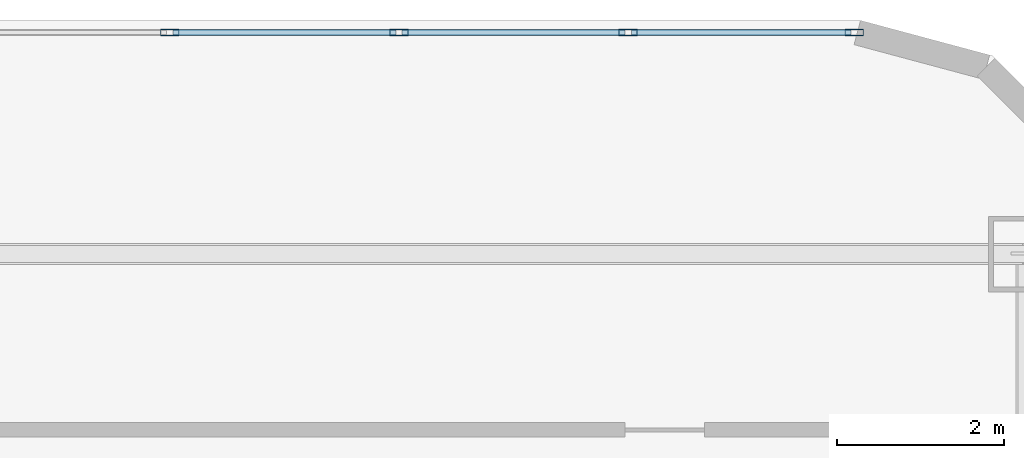
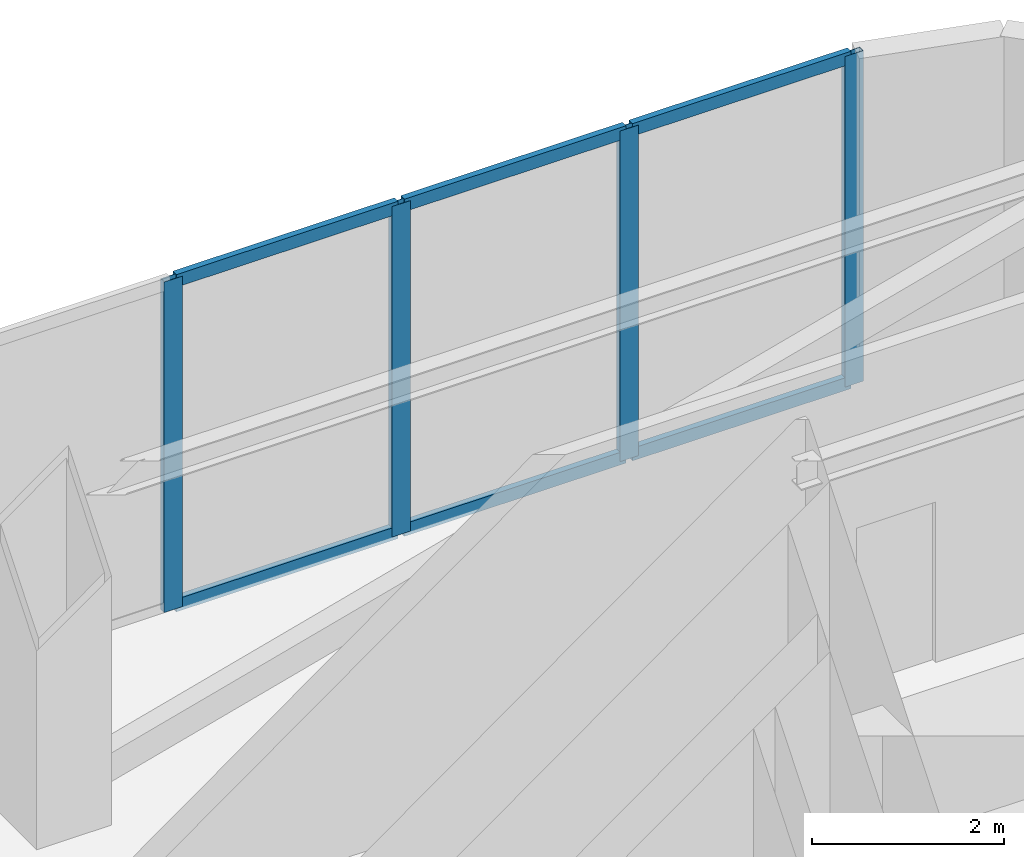
# One storey, part 7 of 13: 10 members, 1 element without a shape of its own.
"""IFC4 building model written with IfcOpenShell, lengths in metres."""

from ifc_helpers import new_model, si_unit, direction, frame, origin, origin_2d, place, context, subcontext, project, spatial, hollow_rectangle, extrude, material, layer, layer_set, material_profile, profile_set, type_object, element, aggregate, save


model = new_model("IFC4")

# Units and contexts
model_context = context("Model", 3, precision=1e-05, world=origin(), true_north=direction((0.0, 1.0)))
body_context = subcontext(model_context, "Body", "Model", "MODEL_VIEW")
ifc_project = project(units=[si_unit("LENGTHUNIT", "METRE"), si_unit("AREAUNIT", "SQUARE_METRE"), si_unit("VOLUMEUNIT", "CUBIC_METRE"), si_unit("PLANEANGLEUNIT", "RADIAN"), si_unit("MASSUNIT", "GRAM", prefix="KILO")], contexts=[model_context])

# Site, building, storey
site_placement = place(None, origin())
site = spatial("IfcSite", under=ifc_project, at=site_placement, CompositionType="ELEMENT")
building_placement = place(site_placement, origin())
building = spatial("IfcBuilding", under=site, at=building_placement, Name="Kiyonajd Concourse Tower", CompositionType="ELEMENT")
storey_placement = place(building_placement, frame((0.0, 0.0, 363.89990234375)))
storey = spatial("IfcBuildingStorey", under=building, at=storey_placement, Name="L91", CompositionType="ELEMENT", Elevation=363.89990234375)

# Curtain wall, members
ifc_material = material(Name="Thermally Broken Anodised Aluminium", Category="aluminium")
ifc_layer = layer(ifc_material, 0.179931640625)
ifc_layer_set = layer_set([ifc_layer], Name="Thermally Broken Anodised Aluminium")
curtain_wall_type = type_object("IfcCurtainWallType", Name="CW-SYS-06", PredefinedType="NOTDEFINED", material=ifc_layer_set)
curtain_wall_placement = place(storey_placement, origin())
curtain_wall = element("IfcCurtainWall", 1, at=curtain_wall_placement, inside=storey, type_object=curtain_wall_type, Name="L91 Unitised Curtain Wall CW6", PredefinedType="NOTDEFINED")
ifc_material_profile_1 = material_profile(ifc_material, hollow_rectangle(XDim=0.074951171875, YDim=0.219970703125, WallThickness=0.0048828125, at=origin_2d()), Name="MULL-75x220")
ifc_profile_set_1 = profile_set([ifc_material_profile_1], Name="Thermally Broken Anodised Aluminium")
member_type_1 = type_object("IfcMemberType", Name="MB-CW-MULL2", PredefinedType="MULLION", material=ifc_profile_set_1)
member_1_placement = place(storey_placement, frame((59.35986328125, 50.25, 0.0), z_axis=(0.0, 0.0, 1.0), x_axis=(0.0, 1.0, 0.0)))
member_1 = element("IfcMember", 2, at=member_1_placement, type_object=member_type_1, Name="CW6 mullion 2", PredefinedType="MULLION", context=body_context, shape_type="SweptSolid", body=[
    extrude(hollow_rectangle(XDim=0.074951171875, YDim=0.219970703125, WallThickness=0.0048828125, at=origin_2d()), origin(), (0.0, 0.0, 1.0), 4.2001953125),
])
member_2_placement = place(storey_placement, frame((62.10009765625, 50.25, 0.0), z_axis=(0.0, 0.0, 1.0), x_axis=(0.0, 1.0, 0.0)))
member_2 = element("IfcMember", 3, at=member_2_placement, type_object=member_type_1, Name="CW6 mullion 3", PredefinedType="MULLION", context=body_context, shape_type="SweptSolid", body=[
    extrude(hollow_rectangle(XDim=0.074951171875, YDim=0.219970703125, WallThickness=0.0048828125, at=origin_2d()), origin(), (0.0, 0.0, 1.0), 4.2001953125),
])
member_3_placement = place(storey_placement, frame((64.840087890625, 50.25, 0.0), z_axis=(0.0, 0.0, 1.0), x_axis=(0.0, 1.0, 0.0)))
member_3 = element("IfcMember", 4, at=member_3_placement, type_object=member_type_1, Name="CW6 mullion 4", PredefinedType="MULLION", context=body_context, shape_type="SweptSolid", body=[
    extrude(hollow_rectangle(XDim=0.074951171875, YDim=0.219970703125, WallThickness=0.0048828125, at=origin_2d()), origin(), (0.0, 0.0, 1.0), 4.2001953125),
])
member_4_placement = place(storey_placement, frame((67.542724609375, 50.25, 0.0), z_axis=(0.0, 0.0, 1.0), x_axis=(0.0, 1.0, 0.0)))
member_4 = element("IfcMember", 5, at=member_4_placement, type_object=member_type_1, Name="CW6 mullion 5", PredefinedType="MULLION", context=body_context, shape_type="SweptSolid", body=[
    extrude(hollow_rectangle(XDim=0.074951171875, YDim=0.219970703125, WallThickness=0.0048828125, at=origin_2d()), origin(), (0.0, 0.0, 1.0), 4.2001953125),
])
ifc_material_profile_2 = material_profile(ifc_material, hollow_rectangle(XDim=0.074951171875, YDim=0.159912109375, WallThickness=0.0048828125, at=origin_2d()), Name="TRAN-75x160")
ifc_profile_set_2 = profile_set([ifc_material_profile_2], Name="Thermally Broken Anodised Aluminium")
member_type_2 = type_object("IfcMemberType", Name="MB-CW-TRAN2", PredefinedType="USERDEFINED", material=ifc_profile_set_2)
member_5_placement = place(storey_placement, frame((59.3974609375, 50.25, 0.03759765625), z_axis=(1.0, 0.0, 0.0), x_axis=(0.0, 1.0, 0.0)))
member_5 = element("IfcMember", 6, at=member_5_placement, type_object=member_type_2, Name="CW6 transom 2.1", ObjectType="TRANSOM", PredefinedType="USERDEFINED", context=body_context, shape_type="SweptSolid", body=[
    extrude(hollow_rectangle(XDim=0.074951171875, YDim=0.159912109375, WallThickness=0.0048828125, at=origin_2d()), origin(), (0.0, 0.0, 1.0), 2.6650390625),
])
member_6_placement = place(storey_placement, frame((59.3974609375, 50.25, 4.16259765625), z_axis=(1.0, 0.0, 0.0), x_axis=(0.0, 1.0, 0.0)))
member_6 = element("IfcMember", 7, at=member_6_placement, type_object=member_type_2, Name="CW6 transom 2.2", ObjectType="TRANSOM", PredefinedType="USERDEFINED", context=body_context, shape_type="SweptSolid", body=[
    extrude(hollow_rectangle(XDim=0.074951171875, YDim=0.159912109375, WallThickness=0.0048828125, at=origin_2d()), origin(), (0.0, 0.0, 1.0), 2.6650390625),
])
member_7_placement = place(storey_placement, frame((62.137451171875, 50.25, 0.03759765625), z_axis=(1.0, 0.0, 0.0), x_axis=(0.0, 1.0, 0.0)))
member_7 = element("IfcMember", 8, at=member_7_placement, type_object=member_type_2, Name="CW6 transom 3.1", ObjectType="TRANSOM", PredefinedType="USERDEFINED", context=body_context, shape_type="SweptSolid", body=[
    extrude(hollow_rectangle(XDim=0.074951171875, YDim=0.159912109375, WallThickness=0.0048828125, at=origin_2d()), origin(), (0.0, 0.0, 1.0), 2.6650390625),
])
member_8_placement = place(storey_placement, frame((62.137451171875, 50.25, 4.16259765625), z_axis=(1.0, 0.0, 0.0), x_axis=(0.0, 1.0, 0.0)))
member_8 = element("IfcMember", 9, at=member_8_placement, type_object=member_type_2, Name="CW6 transom 3.2", ObjectType="TRANSOM", PredefinedType="USERDEFINED", context=body_context, shape_type="SweptSolid", body=[
    extrude(hollow_rectangle(XDim=0.074951171875, YDim=0.159912109375, WallThickness=0.0048828125, at=origin_2d()), origin(), (0.0, 0.0, 1.0), 2.6650390625),
])
member_9_placement = place(storey_placement, frame((64.877685546875, 50.25, 0.03759765625), z_axis=(1.0, 0.0, 0.0), x_axis=(0.0, 1.0, 0.0)))
member_9 = element("IfcMember", 10, at=member_9_placement, type_object=member_type_2, Name="CW6 transom 4.1", ObjectType="TRANSOM", PredefinedType="USERDEFINED", context=body_context, shape_type="SweptSolid", body=[
    extrude(hollow_rectangle(XDim=0.074951171875, YDim=0.159912109375, WallThickness=0.0048828125, at=origin_2d()), origin(), (0.0, 0.0, 1.0), 2.62744140625),
])
member_10_placement = place(storey_placement, frame((64.877685546875, 50.25, 4.16259765625), z_axis=(1.0, 0.0, 0.0), x_axis=(0.0, 1.0, 0.0)))
member_10 = element("IfcMember", 11, at=member_10_placement, type_object=member_type_2, Name="CW6 transom 4.2", ObjectType="TRANSOM", PredefinedType="USERDEFINED", context=body_context, shape_type="SweptSolid", body=[
    extrude(hollow_rectangle(XDim=0.074951171875, YDim=0.159912109375, WallThickness=0.0048828125, at=origin_2d()), origin(), (0.0, 0.0, 1.0), 2.62744140625),
])
aggregate(curtain_wall, [member_1, member_2, member_3, member_4, member_5, member_6, member_7, member_8, member_9, member_10])

save(model, "model.ifc")
